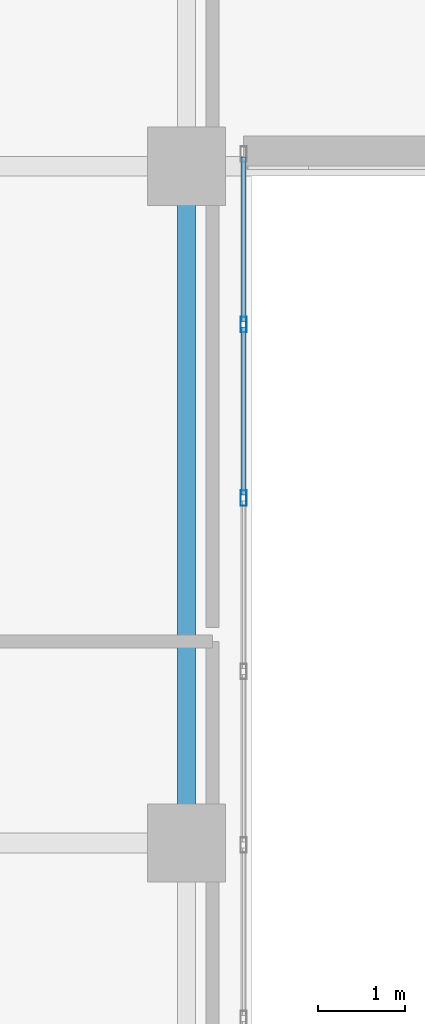
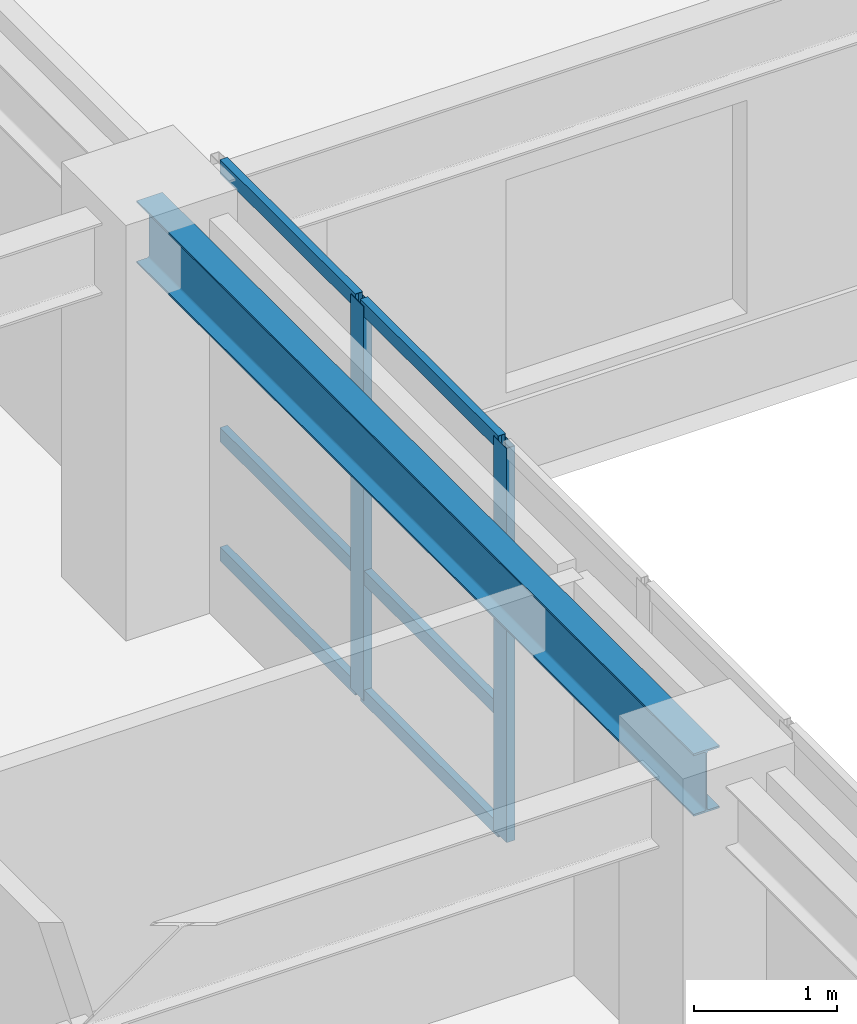
# One storey, part 3 of 25: 8 members, 1 beam, 1 element without a shape of its own.
"""IFC4 building model written with IfcOpenShell, lengths in metres."""

from ifc_helpers import new_model, si_unit, direction, frame, origin, origin_2d, place, context, subcontext, project, spatial, hollow_rectangle, i_section, extrude, source, transform, mapped, material, layer, layer_set, material_profile, profile_set, type_object, type_shapes, element, aggregate, save


model = new_model("IFC4")

# Units and contexts
model_context = context("Model", 3, precision=1e-05, world=origin(), true_north=direction((0.0, 1.0)))
body_context = subcontext(model_context, "Body", "Model", "MODEL_VIEW")
ifc_project = project(units=[si_unit("LENGTHUNIT", "METRE"), si_unit("AREAUNIT", "SQUARE_METRE"), si_unit("VOLUMEUNIT", "CUBIC_METRE"), si_unit("PLANEANGLEUNIT", "RADIAN"), si_unit("MASSUNIT", "GRAM", prefix="KILO")], contexts=[model_context])

# Site, building, storey
site_placement = place(None, origin())
site = spatial("IfcSite", under=ifc_project, at=site_placement, CompositionType="ELEMENT")
building_placement = place(site_placement, origin())
building = spatial("IfcBuilding", under=site, at=building_placement, Name="Tolvann Quenvar Hotel", CompositionType="ELEMENT")
storey_placement = place(building_placement, frame((0.0, 0.0, 111.550048828125)))
storey = spatial("IfcBuildingStorey", under=building, at=storey_placement, Name="L28", CompositionType="ELEMENT", Elevation=111.550048828125)

# Beam
ifc_material_1 = material(Name="Steel Grade 350", Category="steel")
ifc_material_profile_1 = material_profile(ifc_material_1, i_section(OverallWidth=0.208984375, OverallDepth=0.532958984375, WebThickness=0.01025390625, FlangeThickness=0.015625, FilletRadius=0.013916015625, at=origin_2d()), Name="530UB92")
ifc_profile_set_1 = profile_set([ifc_material_profile_1], Name="Steel Grade 350")
beam_type = type_object("IfcBeamType", Name="BM_GIRD_530UB92", PredefinedType="BEAM", material=ifc_profile_set_1)
shared_shape_1 = source(origin(), body_context, "Body", "SweptSolid", [
    extrude(i_section(OverallWidth=0.208984375, OverallDepth=0.532958984375, WebThickness=0.01025390625, FlangeThickness=0.015625, FilletRadius=0.013916015625, at=origin_2d()), origin(), (0.0, 0.0, 1.0), 7.800048828125),
])
type_shapes(beam_type, [shared_shape_1])
beam_placement = place(storey_placement, frame((22.050048828125, 8.199951171875, 3.103515625), z_axis=(0.0, 1.0, 0.0), x_axis=(-1.0, 0.0, 0.0)))
element("IfcBeam", 1, at=beam_placement, inside=storey, type_object=beam_type, Name="BM-L28-NS-E3-E4", PredefinedType="BEAM", context=body_context, shape_type="MappedRepresentation", body=[
    mapped(shared_shape_1, transform((0.0, 0.0, 0.0), x_axis=(1.0, 0.0, 0.0), y_axis=(0.0, 1.0, 0.0), z_axis=(0.0, 0.0, 1.0), scale=1.0)),
])

# Curtain wall, members
ifc_material_2 = material(Name="Thermally broken anodised architectural aluminium 6063-T6 and laminated low-E glass", Category="aluminium")
ifc_layer = layer(ifc_material_2, 0.179931640625)
ifc_layer_set = layer_set([ifc_layer], Name="Thermally broken anodised architectural aluminium 6063-T6 and laminated low-E glass")
curtain_wall_type = type_object("IfcCurtainWallType", Name="CW_SYS_SLOT_03", PredefinedType="USERDEFINED", material=ifc_layer_set)
curtain_wall_placement = place(storey_placement, origin())
curtain_wall = element("IfcCurtainWall", 2, at=curtain_wall_placement, inside=storey, type_object=curtain_wall_type, Name="Curtain Wall CW-SLOT-03 (CWR-L28-E05)", ObjectType="UNITISED CURTAIN WALL", PredefinedType="USERDEFINED")
ifc_material_3 = material(Name="Anodised architectural aluminium 6063-T6 framing", Category="aluminium")
ifc_material_profile_2 = material_profile(ifc_material_3, hollow_rectangle(XDim=0.06005859375, YDim=0.1201171875, WallThickness=0.00341796875, at=origin_2d()), Name="120x60x3.5RHS")
ifc_profile_set_2 = profile_set([ifc_material_profile_2], Name="Anodised architectural aluminium 6063-T6 framing")
member_type_1 = type_object("IfcMemberType", Name="CW_TRAN_120x60", PredefinedType="USERDEFINED", material=ifc_profile_set_2)
shared_shape_2 = source(origin(), body_context, "Body", "SweptSolid", [
    extrude(hollow_rectangle(XDim=0.06005859375, YDim=0.1201171875, WallThickness=0.00341796875, at=origin_2d()), origin(), (0.0, 0.0, 1.0), 1.929931640625),
])
member_1_placement = place(storey_placement, frame((22.7099609375, 12.2099609375, 0.030029296875), z_axis=(0.0, 1.0, 0.0), x_axis=(-1.0, 0.0, 0.0)))
member_1 = element("IfcMember", 3, at=member_1_placement, type_object=member_type_1, Name="CW-SLOT-03 transom 7.1", ObjectType="TRANSOM", PredefinedType="USERDEFINED", context=body_context, shape_type="MappedRepresentation", body=[
    mapped(shared_shape_2, transform((0.0, 0.0, 0.0), x_axis=(1.0, 0.0, 0.0), y_axis=(0.0, 1.0, 0.0), z_axis=(0.0, 0.0, 1.0), scale=1.0)),
])
member_2_placement = place(storey_placement, frame((22.7099609375, 12.2099609375, 1.050048828125), z_axis=(0.0, 1.0, 0.0), x_axis=(-1.0, 0.0, 0.0)))
member_2 = element("IfcMember", 4, at=member_2_placement, type_object=member_type_1, Name="CW-SLOT-03 transom 7.2", ObjectType="TRANSOM", PredefinedType="USERDEFINED", context=body_context, shape_type="MappedRepresentation", body=[
    mapped(shared_shape_2, transform((0.0, 0.0, 0.0), x_axis=(1.0, 0.0, 0.0), y_axis=(0.0, 1.0, 0.0), z_axis=(0.0, 0.0, 1.0), scale=1.0)),
])
member_3_placement = place(storey_placement, frame((22.7099609375, 12.2099609375, 3.33984375), z_axis=(0.0, 1.0, 0.0), x_axis=(-1.0, 0.0, 0.0)))
member_3 = element("IfcMember", 5, at=member_3_placement, type_object=member_type_1, Name="CW-SLOT-03 transom 7.3", ObjectType="TRANSOM", PredefinedType="USERDEFINED", context=body_context, shape_type="MappedRepresentation", body=[
    mapped(shared_shape_2, transform((0.0, 0.0, 0.0), x_axis=(1.0, 0.0, 0.0), y_axis=(0.0, 1.0, 0.0), z_axis=(0.0, 0.0, 1.0), scale=1.0)),
])
shared_shape_3 = source(origin(), body_context, "Body", "SweptSolid", [
    extrude(hollow_rectangle(XDim=0.06005859375, YDim=0.1201171875, WallThickness=0.00341796875, at=origin_2d()), origin(), (0.0, 0.0, 1.0), 1.89501953125),
])
type_shapes(member_type_1, [shared_shape_2, shared_shape_3])
member_4_placement = place(storey_placement, frame((22.7099609375, 14.2099609375, 0.030029296875), z_axis=(0.0, 1.0, 0.0), x_axis=(-1.0, 0.0, 0.0)))
member_4 = element("IfcMember", 6, at=member_4_placement, type_object=member_type_1, Name="CW-SLOT-03 transom 8.1", ObjectType="TRANSOM", PredefinedType="USERDEFINED", context=body_context, shape_type="MappedRepresentation", body=[
    mapped(shared_shape_3, transform((0.0, 0.0, 0.0), x_axis=(1.0, 0.0, 0.0), y_axis=(0.0, 1.0, 0.0), z_axis=(0.0, 0.0, 1.0), scale=1.0)),
])
member_5_placement = place(storey_placement, frame((22.7099609375, 14.2099609375, 1.050048828125), z_axis=(0.0, 1.0, 0.0), x_axis=(-1.0, 0.0, 0.0)))
member_5 = element("IfcMember", 7, at=member_5_placement, type_object=member_type_1, Name="CW-SLOT-03 transom 8.2", ObjectType="TRANSOM", PredefinedType="USERDEFINED", context=body_context, shape_type="MappedRepresentation", body=[
    mapped(shared_shape_3, transform((0.0, 0.0, 0.0), x_axis=(1.0, 0.0, 0.0), y_axis=(0.0, 1.0, 0.0), z_axis=(0.0, 0.0, 1.0), scale=1.0)),
])
member_6_placement = place(storey_placement, frame((22.7099609375, 14.2099609375, 3.33984375), z_axis=(0.0, 1.0, 0.0), x_axis=(-1.0, 0.0, 0.0)))
member_6 = element("IfcMember", 8, at=member_6_placement, type_object=member_type_1, Name="CW-SLOT-03 transom 8.3", ObjectType="TRANSOM", PredefinedType="USERDEFINED", context=body_context, shape_type="MappedRepresentation", body=[
    mapped(shared_shape_3, transform((0.0, 0.0, 0.0), x_axis=(1.0, 0.0, 0.0), y_axis=(0.0, 1.0, 0.0), z_axis=(0.0, 0.0, 1.0), scale=1.0)),
])
ifc_material_profile_3 = material_profile(ifc_material_3, hollow_rectangle(XDim=0.070068359375, YDim=0.179931640625, WallThickness=0.00390625, at=origin_2d()), Name="180x70x4RHS")
ifc_profile_set_3 = profile_set([ifc_material_profile_3], Name="Anodised architectural aluminium 6063-T6 framing")
member_type_2 = type_object("IfcMemberType", Name="CW_MULL_180x70", PredefinedType="MULLION", material=ifc_profile_set_3)
shared_shape_4 = source(origin(), body_context, "Body", "SweptSolid", [
    extrude(hollow_rectangle(XDim=0.070068359375, YDim=0.179931640625, WallThickness=0.00390625, at=origin_2d()), origin(), (0.0, 0.0, 1.0), 3.369873046875),
])
type_shapes(member_type_2, [shared_shape_4])
member_7_placement = place(storey_placement, frame((22.7099609375, 12.175048828125, 0.0), z_axis=(0.0, 0.0, 1.0), x_axis=(-1.0, 0.0, 0.0)))
member_7 = element("IfcMember", 9, at=member_7_placement, type_object=member_type_2, Name="CW-SLOT-03 mullion 7", PredefinedType="MULLION", context=body_context, shape_type="MappedRepresentation", body=[
    mapped(shared_shape_4, transform((0.0, 0.0, 0.0), x_axis=(1.0, 0.0, 0.0), y_axis=(0.0, 1.0, 0.0), z_axis=(0.0, 0.0, 1.0), scale=1.0)),
])
member_8_placement = place(storey_placement, frame((22.7099609375, 14.175048828125, 0.0), z_axis=(0.0, 0.0, 1.0), x_axis=(-1.0, 0.0, 0.0)))
member_8 = element("IfcMember", 10, at=member_8_placement, type_object=member_type_2, Name="CW-SLOT-03 mullion 8", PredefinedType="MULLION", context=body_context, shape_type="MappedRepresentation", body=[
    mapped(shared_shape_4, transform((0.0, 0.0, 0.0), x_axis=(1.0, 0.0, 0.0), y_axis=(0.0, 1.0, 0.0), z_axis=(0.0, 0.0, 1.0), scale=1.0)),
])
aggregate(curtain_wall, [member_7, member_8, member_1, member_2, member_3, member_4, member_5, member_6])

save(model, "model.ifc")
